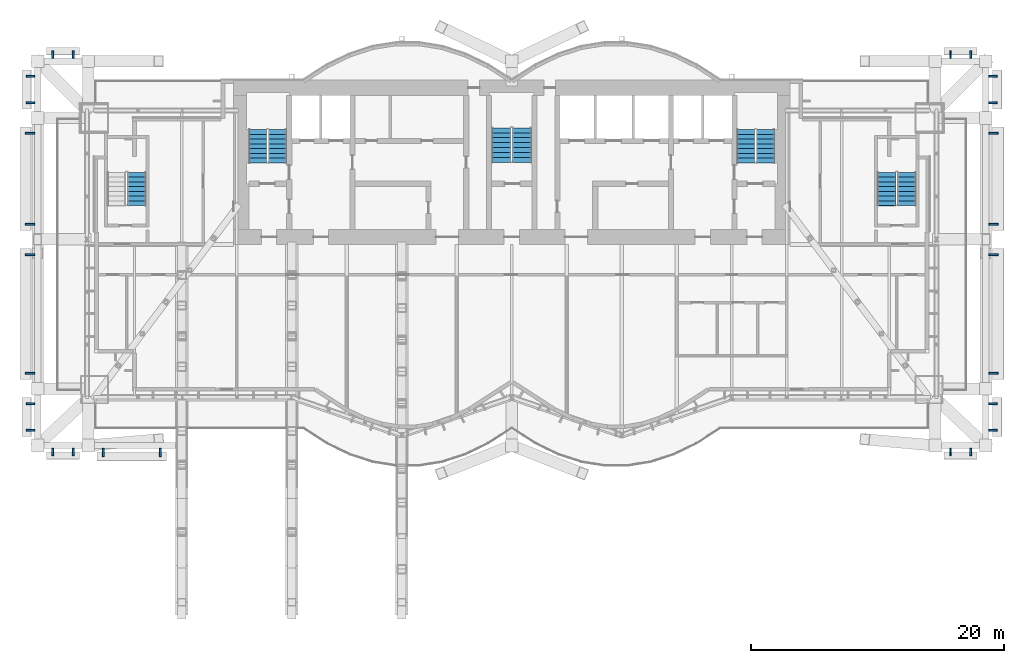
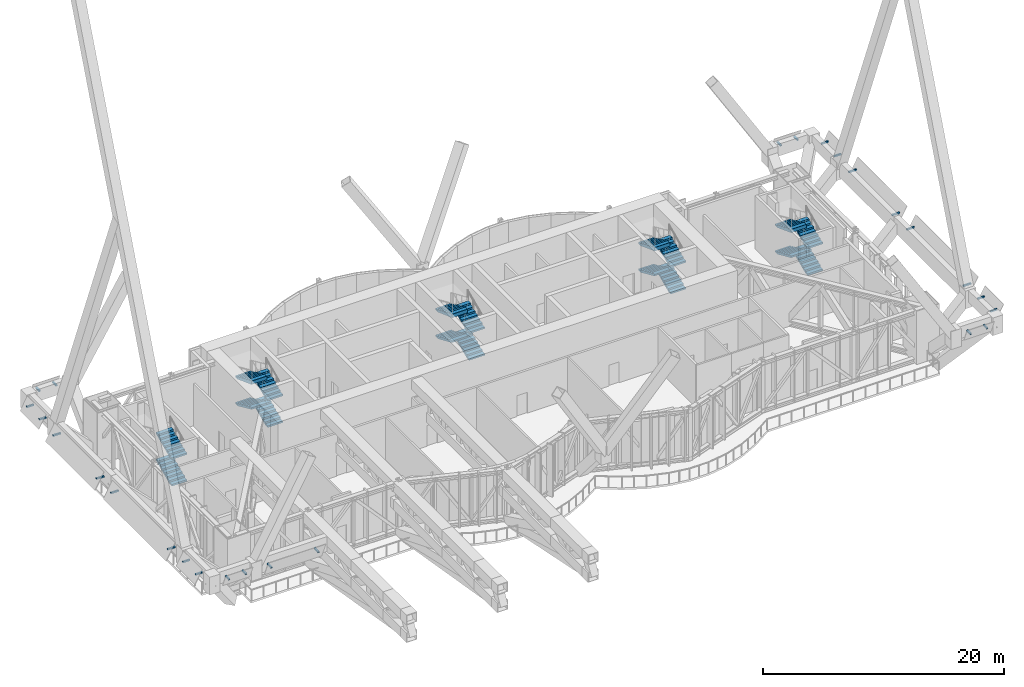
# One storey, part 27 of 30: 26 discrete accessories, 18 stair flights, 5 elements without a shape of their own.
"""IFC4 building model written with IfcOpenShell, lengths in metres."""

from ifc_helpers import new_model, si_unit, direction, frame, origin, origin_2d, place, context, subcontext, project, spatial, polyline, rectangle, outline, extrude, material, type_object, element, aggregate, save


model = new_model("IFC4")

# Units and contexts
model_context = context("Model", 3, precision=1e-05, world=origin(), true_north=direction((0.0, 1.0)))
body_context = subcontext(model_context, "Body", "Model", "MODEL_VIEW")
ifc_project = project(units=[si_unit("LENGTHUNIT", "METRE"), si_unit("AREAUNIT", "SQUARE_METRE"), si_unit("VOLUMEUNIT", "CUBIC_METRE"), si_unit("PLANEANGLEUNIT", "RADIAN"), si_unit("MASSUNIT", "GRAM", prefix="KILO")], contexts=[model_context])

# Site, building, storey
site_placement = place(None, origin())
site = spatial("IfcSite", under=ifc_project, at=site_placement, CompositionType="ELEMENT")
building_placement = place(site_placement, origin())
building = spatial("IfcBuilding", under=site, at=building_placement, Name="Bicima Exchange Tower", CompositionType="ELEMENT")
storey_placement = place(building_placement, frame((0.0, 0.0, 287.60009765625)))
storey = spatial("IfcBuildingStorey", under=building, at=storey_placement, Name="L65", CompositionType="ELEMENT", Elevation=287.60009765625)

# Stair, stair flights
ifc_material_1 = material(Name="Concrete C50/60", Category="concrete")
stair_type_1 = type_object("IfcStairType", Name="Exit stair", PredefinedType="HALF_TURN_STAIR", material=ifc_material_1)
stair_1_placement = place(storey_placement, origin())
stair_1 = element("IfcStair", 1, at=stair_1_placement, inside=storey, type_object=stair_type_1, Name="L65 West exit stair", PredefinedType="HALF_TURN_STAIR")
stair_flight_type_1 = type_object("IfcStairFlightType", Name="Stair flight RC", PredefinedType="STRAIGHT", material=ifc_material_1)
stair_flight_1_placement = place(storey_placement, frame((-18.52490234375, -6.550048828125, 0.0), z_axis=(0.0, 0.0, 1.0), x_axis=(0.0, 1.0, 0.0)))
stair_flight_1 = element("IfcStairFlight", 2, at=stair_flight_1_placement, type_object=stair_flight_type_1, Name="ST-W flight 1", NumberOfRisers=8, NumberOfTreads=7, PredefinedType="STRAIGHT", RiserHeight=0.16875, TreadLength=0.375714286, context=body_context, shape_type="SweptSolid", body=[
    extrude(outline(polyline([(0.0, 0.0), (0.0, 0.168701171875), (0.375732421875, 0.168701171875), (0.375732421875, 0.33740234375), (0.75146484375, 0.33740234375), (0.75146484375, 0.50634765625), (1.127197265625, 0.50634765625), (1.127197265625, 0.675048828125), (1.5029296875, 0.675048828125), (1.5029296875, 0.84375), (1.878662109375, 0.84375), (1.878662109375, 1.012451171875), (2.25439453125, 1.012451171875), (2.25439453125, 1.18115234375), (2.6298828125, 1.18115234375), (2.6298828125, 1.35009765625), (2.6298828125, 1.016845703125), (0.365966796875, 0.0), (0.0, 0.0)])), frame((0.0, 0.72509765625, 0.0), z_axis=(0.0, -1.0, 0.0), x_axis=(1.0, 0.0, 0.0)), (0.0, 0.0, 1.0), 1.449951171875),
])
stair_flight_2_placement = place(storey_placement, frame((-20.074951171875, -3.919921875, 1.349853515625), z_axis=(0.0, 0.0, 1.0), x_axis=(0.0, -1.0, 0.0)))
stair_flight_2 = element("IfcStairFlight", 3, at=stair_flight_2_placement, type_object=stair_flight_type_1, Name="ST-W flight 2", NumberOfRisers=8, NumberOfTreads=7, PredefinedType="STRAIGHT", RiserHeight=0.16875, TreadLength=0.375714286, context=body_context, shape_type="SweptSolid", body=[
    extrude(outline(polyline([(0.0, 0.0), (0.0, 0.168701171875), (0.375732421875, 0.168701171875), (0.375732421875, 0.33740234375), (0.75146484375, 0.33740234375), (0.75146484375, 0.50634765625), (1.127197265625, 0.50634765625), (1.127197265625, 0.675048828125), (1.5029296875, 0.675048828125), (1.5029296875, 0.84375), (1.878662109375, 0.84375), (1.878662109375, 1.012451171875), (2.25439453125, 1.012451171875), (2.25439453125, 1.18115234375), (2.6298828125, 1.18115234375), (2.6298828125, 1.35009765625), (2.6298828125, 1.016845703125), (0.365966796875, 0.0), (0.0, 0.0)])), frame((0.0, 0.72509765625, 0.0), z_axis=(0.0, -1.0, 0.0), x_axis=(1.0, 0.0, 0.0)), (0.0, 0.0, 1.0), 1.449951171875),
])
stair_flight_3_placement = place(storey_placement, frame((-18.52490234375, -6.550048828125, 2.699951171875), z_axis=(0.0, 0.0, 1.0), x_axis=(0.0, 1.0, 0.0)))
stair_flight_3 = element("IfcStairFlight", 4, at=stair_flight_3_placement, type_object=stair_flight_type_1, Name="ST-W flight 3", NumberOfRisers=8, NumberOfTreads=7, PredefinedType="STRAIGHT", RiserHeight=0.16875, TreadLength=0.375714286, context=body_context, shape_type="SweptSolid", body=[
    extrude(outline(polyline([(0.0, 0.0), (0.0, 0.168701171875), (0.375732421875, 0.168701171875), (0.375732421875, 0.33740234375), (0.75146484375, 0.33740234375), (0.75146484375, 0.50634765625), (1.127197265625, 0.50634765625), (1.127197265625, 0.675048828125), (1.5029296875, 0.675048828125), (1.5029296875, 0.84375), (1.878662109375, 0.84375), (1.878662109375, 1.012451171875), (2.25439453125, 1.012451171875), (2.25439453125, 1.18115234375), (2.6298828125, 1.18115234375), (2.6298828125, 1.35009765625), (2.6298828125, 1.016845703125), (0.365966796875, 0.0), (0.0, 0.0)])), frame((0.0, 0.72509765625, 0.0), z_axis=(0.0, -1.0, 0.0), x_axis=(1.0, 0.0, 0.0)), (0.0, 0.0, 1.0), 1.449951171875),
])
stair_flight_4_placement = place(storey_placement, frame((-20.074951171875, -3.919921875, 4.0498046875), z_axis=(0.0, 0.0, 1.0), x_axis=(0.0, -1.0, 0.0)))
stair_flight_4 = element("IfcStairFlight", 5, at=stair_flight_4_placement, type_object=stair_flight_type_1, Name="ST-W flight 4", NumberOfRisers=8, NumberOfTreads=7, PredefinedType="STRAIGHT", RiserHeight=0.16875, TreadLength=0.375714286, context=body_context, shape_type="SweptSolid", body=[
    extrude(outline(polyline([(0.0, 0.0), (0.0, 0.168701171875), (0.375732421875, 0.168701171875), (0.375732421875, 0.33740234375), (0.75146484375, 0.33740234375), (0.75146484375, 0.50634765625), (1.127197265625, 0.50634765625), (1.127197265625, 0.675048828125), (1.5029296875, 0.675048828125), (1.5029296875, 0.84375), (1.878662109375, 0.84375), (1.878662109375, 1.012451171875), (2.25439453125, 1.012451171875), (2.25439453125, 1.18115234375), (2.6298828125, 1.18115234375), (2.6298828125, 1.203857421875), (2.64501953125, 1.203857421875), (2.64501953125, 0.85498046875), (0.365966796875, 0.0), (0.0, 0.0)])), frame((0.0, 0.72509765625, 0.0), z_axis=(0.0, -1.0, 0.0), x_axis=(1.0, 0.0, 0.0)), (0.0, 0.0, 1.0), 1.449951171875),
])
aggregate(stair_1, [stair_flight_1, stair_flight_2, stair_flight_3, stair_flight_4])

stair_2_placement = place(storey_placement, origin())
stair_2 = element("IfcStair", 6, at=stair_2_placement, inside=storey, type_object=stair_type_1, Name="L65 East exit stair", PredefinedType="HALF_TURN_STAIR")
stair_flight_5_placement = place(storey_placement, frame((20.074951171875, -6.550048828125, 0.0), z_axis=(0.0, 0.0, 1.0), x_axis=(0.0, 1.0, 0.0)))
stair_flight_5 = element("IfcStairFlight", 7, at=stair_flight_5_placement, type_object=stair_flight_type_1, Name="ST-E flight 1", NumberOfRisers=8, NumberOfTreads=7, PredefinedType="STRAIGHT", RiserHeight=0.16875, TreadLength=0.375714286, context=body_context, shape_type="SweptSolid", body=[
    extrude(outline(polyline([(0.0, 0.0), (0.0, 0.168701171875), (0.375732421875, 0.168701171875), (0.375732421875, 0.33740234375), (0.75146484375, 0.33740234375), (0.75146484375, 0.50634765625), (1.127197265625, 0.50634765625), (1.127197265625, 0.675048828125), (1.5029296875, 0.675048828125), (1.5029296875, 0.84375), (1.878662109375, 0.84375), (1.878662109375, 1.012451171875), (2.25439453125, 1.012451171875), (2.25439453125, 1.18115234375), (2.6298828125, 1.18115234375), (2.6298828125, 1.35009765625), (2.6298828125, 1.016845703125), (0.365966796875, 0.0), (0.0, 0.0)])), frame((0.0, 0.72509765625, 0.0), z_axis=(0.0, -1.0, 0.0), x_axis=(1.0, 0.0, 0.0)), (0.0, 0.0, 1.0), 1.449951171875),
])
stair_flight_6_placement = place(storey_placement, frame((18.52490234375, -3.919921875, 1.349853515625), z_axis=(0.0, 0.0, 1.0), x_axis=(0.0, -1.0, 0.0)))
stair_flight_6 = element("IfcStairFlight", 8, at=stair_flight_6_placement, type_object=stair_flight_type_1, Name="ST-E flight 2", NumberOfRisers=8, NumberOfTreads=7, PredefinedType="STRAIGHT", RiserHeight=0.16875, TreadLength=0.375714286, context=body_context, shape_type="SweptSolid", body=[
    extrude(outline(polyline([(0.0, 0.0), (0.0, 0.168701171875), (0.375732421875, 0.168701171875), (0.375732421875, 0.33740234375), (0.75146484375, 0.33740234375), (0.75146484375, 0.50634765625), (1.127197265625, 0.50634765625), (1.127197265625, 0.675048828125), (1.5029296875, 0.675048828125), (1.5029296875, 0.84375), (1.878662109375, 0.84375), (1.878662109375, 1.012451171875), (2.25439453125, 1.012451171875), (2.25439453125, 1.18115234375), (2.6298828125, 1.18115234375), (2.6298828125, 1.35009765625), (2.6298828125, 1.016845703125), (0.365966796875, 0.0), (0.0, 0.0)])), frame((0.0, 0.72509765625, 0.0), z_axis=(0.0, -1.0, 0.0), x_axis=(1.0, 0.0, 0.0)), (0.0, 0.0, 1.0), 1.449951171875),
])
stair_flight_7_placement = place(storey_placement, frame((20.074951171875, -6.550048828125, 2.699951171875), z_axis=(0.0, 0.0, 1.0), x_axis=(0.0, 1.0, 0.0)))
stair_flight_7 = element("IfcStairFlight", 9, at=stair_flight_7_placement, type_object=stair_flight_type_1, Name="ST-E flight 3", NumberOfRisers=8, NumberOfTreads=7, PredefinedType="STRAIGHT", RiserHeight=0.16875, TreadLength=0.375714286, context=body_context, shape_type="SweptSolid", body=[
    extrude(outline(polyline([(0.0, 0.0), (0.0, 0.168701171875), (0.375732421875, 0.168701171875), (0.375732421875, 0.33740234375), (0.75146484375, 0.33740234375), (0.75146484375, 0.50634765625), (1.127197265625, 0.50634765625), (1.127197265625, 0.675048828125), (1.5029296875, 0.675048828125), (1.5029296875, 0.84375), (1.878662109375, 0.84375), (1.878662109375, 1.012451171875), (2.25439453125, 1.012451171875), (2.25439453125, 1.18115234375), (2.6298828125, 1.18115234375), (2.6298828125, 1.35009765625), (2.6298828125, 1.016845703125), (0.365966796875, 0.0), (0.0, 0.0)])), frame((0.0, 0.72509765625, 0.0), z_axis=(0.0, -1.0, 0.0), x_axis=(1.0, 0.0, 0.0)), (0.0, 0.0, 1.0), 1.449951171875),
])
stair_flight_8_placement = place(storey_placement, frame((18.52490234375, -3.919921875, 4.0498046875), z_axis=(0.0, 0.0, 1.0), x_axis=(0.0, -1.0, 0.0)))
stair_flight_8 = element("IfcStairFlight", 10, at=stair_flight_8_placement, type_object=stair_flight_type_1, Name="ST-E flight 4", NumberOfRisers=8, NumberOfTreads=7, PredefinedType="STRAIGHT", RiserHeight=0.16875, TreadLength=0.375714286, context=body_context, shape_type="SweptSolid", body=[
    extrude(outline(polyline([(0.0, 0.0), (0.0, 0.168701171875), (0.375732421875, 0.168701171875), (0.375732421875, 0.33740234375), (0.75146484375, 0.33740234375), (0.75146484375, 0.50634765625), (1.127197265625, 0.50634765625), (1.127197265625, 0.675048828125), (1.5029296875, 0.675048828125), (1.5029296875, 0.84375), (1.878662109375, 0.84375), (1.878662109375, 1.012451171875), (2.25439453125, 1.012451171875), (2.25439453125, 1.18115234375), (2.6298828125, 1.18115234375), (2.6298828125, 1.203857421875), (2.64501953125, 1.203857421875), (2.64501953125, 0.85498046875), (0.365966796875, 0.0), (0.0, 0.0)])), frame((0.0, 0.72509765625, 0.0), z_axis=(0.0, -1.0, 0.0), x_axis=(1.0, 0.0, 0.0)), (0.0, 0.0, 1.0), 1.449951171875),
])
aggregate(stair_2, [stair_flight_5, stair_flight_6, stair_flight_7, stair_flight_8])

stair_3_placement = place(storey_placement, origin())
stair_3 = element("IfcStair", 11, at=stair_3_placement, inside=storey, type_object=stair_type_1, Name="L65 West end exit stair", PredefinedType="HALF_TURN_STAIR")
stair_flight_9_placement = place(storey_placement, frame((-29.64990234375, -9.925048828125, 0.0), z_axis=(0.0, 0.0, 1.0), x_axis=(0.0, 1.0, 0.0)))
stair_flight_9 = element("IfcStairFlight", 12, at=stair_flight_9_placement, type_object=stair_flight_type_1, Name="ST-WW flight 1", NumberOfRisers=8, NumberOfTreads=7, PredefinedType="STRAIGHT", RiserHeight=0.16875, TreadLength=0.375714286, context=body_context, shape_type="SweptSolid", body=[
    extrude(outline(polyline([(0.0, 0.0), (0.0, 0.168701171875), (0.375732421875, 0.168701171875), (0.375732421875, 0.33740234375), (0.75146484375, 0.33740234375), (0.75146484375, 0.50634765625), (1.127197265625, 0.50634765625), (1.127197265625, 0.675048828125), (1.5029296875, 0.675048828125), (1.5029296875, 0.84375), (1.878662109375, 0.84375), (1.878662109375, 1.012451171875), (2.25439453125, 1.012451171875), (2.25439453125, 1.18115234375), (2.6298828125, 1.18115234375), (2.6298828125, 1.35009765625), (2.6298828125, 1.016845703125), (0.365966796875, 0.0), (0.0, 0.0)])), frame((0.0, 0.72509765625, 0.0), z_axis=(0.0, -1.0, 0.0), x_axis=(1.0, 0.0, 0.0)), (0.0, 0.0, 1.0), 1.449951171875),
])
stair_flight_10_placement = place(storey_placement, frame((-29.64990234375, -9.925048828125, 2.699951171875), z_axis=(0.0, 0.0, 1.0), x_axis=(0.0, 1.0, 0.0)))
stair_flight_10 = element("IfcStairFlight", 13, at=stair_flight_10_placement, type_object=stair_flight_type_1, Name="ST-WW flight 3", NumberOfRisers=8, NumberOfTreads=7, PredefinedType="STRAIGHT", RiserHeight=0.16875, TreadLength=0.375714286, context=body_context, shape_type="SweptSolid", body=[
    extrude(outline(polyline([(0.0, 0.0), (0.0, 0.168701171875), (0.375732421875, 0.168701171875), (0.375732421875, 0.33740234375), (0.75146484375, 0.33740234375), (0.75146484375, 0.50634765625), (1.127197265625, 0.50634765625), (1.127197265625, 0.675048828125), (1.5029296875, 0.675048828125), (1.5029296875, 0.84375), (1.878662109375, 0.84375), (1.878662109375, 1.012451171875), (2.25439453125, 1.012451171875), (2.25439453125, 1.18115234375), (2.6298828125, 1.18115234375), (2.6298828125, 1.35009765625), (2.6298828125, 1.016845703125), (0.365966796875, 0.0), (0.0, 0.0)])), frame((0.0, 0.72509765625, 0.0), z_axis=(0.0, -1.0, 0.0), x_axis=(1.0, 0.0, 0.0)), (0.0, 0.0, 1.0), 1.449951171875),
])
aggregate(stair_3, [stair_flight_9, stair_flight_10])

stair_4_placement = place(storey_placement, origin())
stair_4 = element("IfcStair", 14, at=stair_4_placement, inside=storey, type_object=stair_type_1, Name="L65 East end exit stair", PredefinedType="HALF_TURN_STAIR")
stair_flight_11_placement = place(storey_placement, frame((31.25, -9.925048828125, 0.0), z_axis=(0.0, 0.0, 1.0), x_axis=(0.0, 1.0, 0.0)))
stair_flight_11 = element("IfcStairFlight", 15, at=stair_flight_11_placement, type_object=stair_flight_type_1, Name="ST-EE flight 1", NumberOfRisers=8, NumberOfTreads=7, PredefinedType="STRAIGHT", RiserHeight=0.16875, TreadLength=0.375714286, context=body_context, shape_type="SweptSolid", body=[
    extrude(outline(polyline([(0.0, 0.0), (0.0, 0.168701171875), (0.375732421875, 0.168701171875), (0.375732421875, 0.33740234375), (0.75146484375, 0.33740234375), (0.75146484375, 0.50634765625), (1.127197265625, 0.50634765625), (1.127197265625, 0.675048828125), (1.5029296875, 0.675048828125), (1.5029296875, 0.84375), (1.878662109375, 0.84375), (1.878662109375, 1.012451171875), (2.25439453125, 1.012451171875), (2.25439453125, 1.18115234375), (2.6298828125, 1.18115234375), (2.6298828125, 1.35009765625), (2.6298828125, 1.016845703125), (0.365966796875, 0.0), (0.0, 0.0)])), frame((0.0, 0.72509765625, 0.0), z_axis=(0.0, -1.0, 0.0), x_axis=(1.0, 0.0, 0.0)), (0.0, 0.0, 1.0), 1.449951171875),
])
stair_flight_12_placement = place(storey_placement, frame((29.64990234375, -7.294921875, 1.349853515625), z_axis=(0.0, 0.0, 1.0), x_axis=(0.0, -1.0, 0.0)))
stair_flight_12 = element("IfcStairFlight", 16, at=stair_flight_12_placement, type_object=stair_flight_type_1, Name="ST-EE flight 2", NumberOfRisers=8, NumberOfTreads=7, PredefinedType="STRAIGHT", RiserHeight=0.16875, TreadLength=0.375714286, context=body_context, shape_type="SweptSolid", body=[
    extrude(outline(polyline([(0.0, 0.0), (0.0, 0.168701171875), (0.375732421875, 0.168701171875), (0.375732421875, 0.33740234375), (0.75146484375, 0.33740234375), (0.75146484375, 0.50634765625), (1.127197265625, 0.50634765625), (1.127197265625, 0.675048828125), (1.5029296875, 0.675048828125), (1.5029296875, 0.84375), (1.878662109375, 0.84375), (1.878662109375, 1.012451171875), (2.25439453125, 1.012451171875), (2.25439453125, 1.18115234375), (2.6298828125, 1.18115234375), (2.6298828125, 1.35009765625), (2.6298828125, 1.016845703125), (0.365966796875, 0.0), (0.0, 0.0)])), frame((0.0, 0.72509765625, 0.0), z_axis=(0.0, -1.0, 0.0), x_axis=(1.0, 0.0, 0.0)), (0.0, 0.0, 1.0), 1.449951171875),
])
stair_flight_13_placement = place(storey_placement, frame((31.25, -9.925048828125, 2.699951171875), z_axis=(0.0, 0.0, 1.0), x_axis=(0.0, 1.0, 0.0)))
stair_flight_13 = element("IfcStairFlight", 17, at=stair_flight_13_placement, type_object=stair_flight_type_1, Name="ST-EE flight 3", NumberOfRisers=8, NumberOfTreads=7, PredefinedType="STRAIGHT", RiserHeight=0.16875, TreadLength=0.375714286, context=body_context, shape_type="SweptSolid", body=[
    extrude(outline(polyline([(0.0, 0.0), (0.0, 0.168701171875), (0.375732421875, 0.168701171875), (0.375732421875, 0.33740234375), (0.75146484375, 0.33740234375), (0.75146484375, 0.50634765625), (1.127197265625, 0.50634765625), (1.127197265625, 0.675048828125), (1.5029296875, 0.675048828125), (1.5029296875, 0.84375), (1.878662109375, 0.84375), (1.878662109375, 1.012451171875), (2.25439453125, 1.012451171875), (2.25439453125, 1.18115234375), (2.6298828125, 1.18115234375), (2.6298828125, 1.35009765625), (2.6298828125, 1.016845703125), (0.365966796875, 0.0), (0.0, 0.0)])), frame((0.0, 0.72509765625, 0.0), z_axis=(0.0, -1.0, 0.0), x_axis=(1.0, 0.0, 0.0)), (0.0, 0.0, 1.0), 1.449951171875),
])
stair_flight_14_placement = place(storey_placement, frame((29.64990234375, -7.294921875, 4.0498046875), z_axis=(0.0, 0.0, 1.0), x_axis=(0.0, -1.0, 0.0)))
stair_flight_14 = element("IfcStairFlight", 18, at=stair_flight_14_placement, type_object=stair_flight_type_1, Name="ST-EE flight 4", NumberOfRisers=8, NumberOfTreads=7, PredefinedType="STRAIGHT", RiserHeight=0.16875, TreadLength=0.375714286, context=body_context, shape_type="SweptSolid", body=[
    extrude(outline(polyline([(0.0, 0.0), (0.0, 0.168701171875), (0.375732421875, 0.168701171875), (0.375732421875, 0.33740234375), (0.75146484375, 0.33740234375), (0.75146484375, 0.50634765625), (1.127197265625, 0.50634765625), (1.127197265625, 0.675048828125), (1.5029296875, 0.675048828125), (1.5029296875, 0.84375), (1.878662109375, 0.84375), (1.878662109375, 1.012451171875), (2.25439453125, 1.012451171875), (2.25439453125, 1.18115234375), (2.6298828125, 1.18115234375), (2.6298828125, 1.203857421875), (2.64501953125, 1.203857421875), (2.64501953125, 0.85498046875), (0.365966796875, 0.0), (0.0, 0.0)])), frame((0.0, 0.72509765625, 0.0), z_axis=(0.0, -1.0, 0.0), x_axis=(1.0, 0.0, 0.0)), (0.0, 0.0, 1.0), 1.449951171875),
])
aggregate(stair_4, [stair_flight_11, stair_flight_12, stair_flight_13, stair_flight_14])

stair_type_2 = type_object("IfcStairType", Name="Exit stair 1500", PredefinedType="HALF_TURN_STAIR", material=ifc_material_1)
stair_5_placement = place(storey_placement, origin())
stair_5 = element("IfcStair", 19, at=stair_5_placement, inside=storey, type_object=stair_type_2, Name="L65 Central exit stair", PredefinedType="HALF_TURN_STAIR")
stair_flight_type_2 = type_object("IfcStairFlightType", Name="Stair flight RC 1500", PredefinedType="STRAIGHT", material=ifc_material_1)
stair_flight_15_placement = place(storey_placement, frame((0.824951171875, -6.5, 0.0), z_axis=(0.0, 0.0, 1.0), x_axis=(0.0, 1.0, 0.0)))
stair_flight_15 = element("IfcStairFlight", 20, at=stair_flight_15_placement, type_object=stair_flight_type_2, Name="ST-C flight 1", NumberOfRisers=8, NumberOfTreads=7, PredefinedType="STRAIGHT", RiserHeight=0.16875, TreadLength=0.388571429, context=body_context, shape_type="SweptSolid", body=[
    extrude(outline(polyline([(0.0, 0.0), (0.0, 0.168701171875), (0.388671875, 0.168701171875), (0.388671875, 0.33740234375), (0.777099609375, 0.33740234375), (0.777099609375, 0.50634765625), (1.165771484375, 0.50634765625), (1.165771484375, 0.675048828125), (1.55419921875, 0.675048828125), (1.55419921875, 0.84375), (1.94287109375, 0.84375), (1.94287109375, 1.012451171875), (2.33154296875, 1.012451171875), (2.33154296875, 1.18115234375), (2.719970703125, 1.18115234375), (2.719970703125, 1.35009765625), (2.719970703125, 1.017822265625), (0.376220703125, 0.0), (0.0, 0.0)])), frame((0.0, 0.75, 0.0), z_axis=(0.0, -1.0, 0.0), x_axis=(1.0, 0.0, 0.0)), (0.0, 0.0, 1.0), 1.5),
])
stair_flight_16_placement = place(storey_placement, frame((-0.824951171875, -3.780029296875, 1.349853515625), z_axis=(0.0, 0.0, 1.0), x_axis=(0.0, -1.0, 0.0)))
stair_flight_16 = element("IfcStairFlight", 21, at=stair_flight_16_placement, type_object=stair_flight_type_2, Name="ST-C flight 2", NumberOfRisers=8, NumberOfTreads=7, PredefinedType="STRAIGHT", RiserHeight=0.16875, TreadLength=0.388571429, context=body_context, shape_type="SweptSolid", body=[
    extrude(outline(polyline([(0.0, 0.0), (0.0, 0.168701171875), (0.388671875, 0.168701171875), (0.388671875, 0.33740234375), (0.777099609375, 0.33740234375), (0.777099609375, 0.50634765625), (1.165771484375, 0.50634765625), (1.165771484375, 0.675048828125), (1.55419921875, 0.675048828125), (1.55419921875, 0.84375), (1.94287109375, 0.84375), (1.94287109375, 1.012451171875), (2.33154296875, 1.012451171875), (2.33154296875, 1.18115234375), (2.719970703125, 1.18115234375), (2.719970703125, 1.35009765625), (2.719970703125, 1.017822265625), (0.376220703125, 0.0), (0.0, 0.0)])), frame((0.0, 0.75, 0.0), z_axis=(0.0, -1.0, 0.0), x_axis=(1.0, 0.0, 0.0)), (0.0, 0.0, 1.0), 1.5),
])
stair_flight_17_placement = place(storey_placement, frame((0.824951171875, -6.5, 2.699951171875), z_axis=(0.0, 0.0, 1.0), x_axis=(0.0, 1.0, 0.0)))
stair_flight_17 = element("IfcStairFlight", 22, at=stair_flight_17_placement, type_object=stair_flight_type_2, Name="ST-C flight 3", NumberOfRisers=8, NumberOfTreads=7, PredefinedType="STRAIGHT", RiserHeight=0.16875, TreadLength=0.388571429, context=body_context, shape_type="SweptSolid", body=[
    extrude(outline(polyline([(0.0, 0.0), (0.0, 0.168701171875), (0.388671875, 0.168701171875), (0.388671875, 0.33740234375), (0.777099609375, 0.33740234375), (0.777099609375, 0.50634765625), (1.165771484375, 0.50634765625), (1.165771484375, 0.675048828125), (1.55419921875, 0.675048828125), (1.55419921875, 0.84375), (1.94287109375, 0.84375), (1.94287109375, 1.012451171875), (2.33154296875, 1.012451171875), (2.33154296875, 1.18115234375), (2.719970703125, 1.18115234375), (2.719970703125, 1.35009765625), (2.719970703125, 1.017822265625), (0.376220703125, 0.0), (0.0, 0.0)])), frame((0.0, 0.75, 0.0), z_axis=(0.0, -1.0, 0.0), x_axis=(1.0, 0.0, 0.0)), (0.0, 0.0, 1.0), 1.5),
])
stair_flight_18_placement = place(storey_placement, frame((-0.824951171875, -3.780029296875, 4.0498046875), z_axis=(0.0, 0.0, 1.0), x_axis=(0.0, -1.0, 0.0)))
stair_flight_18 = element("IfcStairFlight", 23, at=stair_flight_18_placement, type_object=stair_flight_type_2, Name="ST-C flight 4", NumberOfRisers=8, NumberOfTreads=7, PredefinedType="STRAIGHT", RiserHeight=0.16875, TreadLength=0.388571429, context=body_context, shape_type="SweptSolid", body=[
    extrude(outline(polyline([(0.0, 0.0), (0.0, 0.168701171875), (0.388671875, 0.168701171875), (0.388671875, 0.33740234375), (0.777099609375, 0.33740234375), (0.777099609375, 0.50634765625), (1.165771484375, 0.50634765625), (1.165771484375, 0.675048828125), (1.55419921875, 0.675048828125), (1.55419921875, 0.84375), (1.94287109375, 0.84375), (1.94287109375, 1.012451171875), (2.33154296875, 1.012451171875), (2.33154296875, 1.18115234375), (2.719970703125, 1.18115234375), (2.719970703125, 1.203857421875), (2.735107421875, 1.203857421875), (2.735107421875, 0.85546875), (0.376220703125, 0.0), (0.0, 0.0)])), frame((0.0, 0.75, 0.0), z_axis=(0.0, -1.0, 0.0), x_axis=(1.0, 0.0, 0.0)), (0.0, 0.0, 1.0), 1.5),
])
aggregate(stair_5, [stair_flight_15, stair_flight_16, stair_flight_17, stair_flight_18])

# Discrete accessories
ifc_material_2 = material(Name="Steel ASTM A572 Gr 50", Category="steel")
discrete_accessory_type = type_object("IfcDiscreteAccessoryType", Name="Belt fascia bracket", PredefinedType="BRACKET", material=ifc_material_2)
for number, where, z_axis, x_axis, name in (
    (24, (-36.300048828125, -29.42724609375, 4.574951171875), (0.0, 0.0, 1.0), (1.0, 0.0, 0.0), "Belt fascia bracket"),
    (25, (-34.699951171875, -29.42724609375, 4.574951171875), (0.0, 0.0, 1.0), (1.0, 0.0, 0.0), "Belt fascia bracket"),
):
    element("IfcDiscreteAccessory", number, at=place(storey_placement, frame(where, z_axis=z_axis, x_axis=x_axis)), inside=storey, type_object=discrete_accessory_type, Name=name, PredefinedType="BRACKET", context=body_context, shape_type="SweptSolid", body=[
        extrude(rectangle(XDim=0.14990234375, YDim=0.59326171875, at=origin_2d()), origin(), (0.0, 0.0, 1.0), 0.14990234375),
    ])
for number, where, z_axis, x_axis, name in (
    (26, (-32.300048828125, -29.459228515625, 4.425048828125), (0.0, 0.0, 1.0), (1.0, 0.0, 0.0), "Belt fascia bracket"),
    (27, (-27.800048828125, -29.459228515625, 4.425048828125), (0.0, 0.0, 1.0), (1.0, 0.0, 0.0), "Belt fascia bracket"),
):
    element("IfcDiscreteAccessory", number, at=place(storey_placement, frame(where, z_axis=z_axis, x_axis=x_axis)), inside=storey, type_object=discrete_accessory_type, Name=name, PredefinedType="BRACKET", context=body_context, shape_type="SweptSolid", body=[
        extrude(rectangle(XDim=0.14990234375, YDim=0.6572265625, at=origin_2d()), origin(), (0.0, 0.0, 1.0), 0.14990234375),
    ])
for number, where, z_axis, x_axis, name in (
    (28, (34.699951171875, -29.42724609375, 4.574951171875), (0.0, 0.0, 1.0), (1.0, 0.0, 0.0), "Belt fascia bracket"),
    (29, (36.300048828125, -29.42724609375, 4.574951171875), (0.0, 0.0, 1.0), (1.0, 0.0, 0.0), "Belt fascia bracket"),
):
    element("IfcDiscreteAccessory", number, at=place(storey_placement, frame(where, z_axis=z_axis, x_axis=x_axis)), inside=storey, type_object=discrete_accessory_type, Name=name, PredefinedType="BRACKET", context=body_context, shape_type="SweptSolid", body=[
        extrude(rectangle(XDim=0.14990234375, YDim=0.59326171875, at=origin_2d()), origin(), (0.0, 0.0, 1.0), 0.14990234375),
    ])
for number, where, z_axis, x_axis, name in (
    (30, (38.065673828125, -27.70068359375, 4.574951171875), (0.0, 0.0, 1.0), (0.0, 1.0, 0.0), "Belt fascia bracket"),
    (31, (38.065673828125, -25.6005859375, 4.574951171875), (0.0, 0.0, 1.0), (0.0, 1.0, 0.0), "Belt fascia bracket"),
):
    element("IfcDiscreteAccessory", number, at=place(storey_placement, frame(where, z_axis=z_axis, x_axis=x_axis)), inside=storey, type_object=discrete_accessory_type, Name=name, PredefinedType="BRACKET", context=body_context, shape_type="SweptSolid", body=[
        extrude(rectangle(XDim=0.14990234375, YDim=0.671142578125, at=origin_2d()), origin(), (0.0, 0.0, 1.0), 0.14990234375),
    ])
for number, where, z_axis, x_axis, name in (
    (32, (38.106689453125, -23.20068359375, 4.425048828125), (0.0, 0.0, 1.0), (0.0, 1.0, 0.0), "Belt fascia bracket"),
    (33, (38.106689453125, -13.800048828125, 4.425048828125), (0.0, 0.0, 1.0), (0.0, 1.0, 0.0), "Belt fascia bracket"),
    (34, (38.106689453125, -11.39990234375, 4.425048828125), (0.0, 0.0, 1.0), (0.0, 1.0, 0.0), "Belt fascia bracket"),
    (35, (38.106689453125, -4.199951171875, 4.425048828125), (0.0, 0.0, 1.0), (0.0, 1.0, 0.0), "Belt fascia bracket"),
):
    element("IfcDiscreteAccessory", number, at=place(storey_placement, frame(where, z_axis=z_axis, x_axis=x_axis)), inside=storey, type_object=discrete_accessory_type, Name=name, PredefinedType="BRACKET", context=body_context, shape_type="SweptSolid", body=[
        extrude(rectangle(XDim=0.14990234375, YDim=0.75341796875, at=origin_2d()), origin(), (0.0, 0.0, 1.0), 0.14990234375),
    ])
for number, where, z_axis, x_axis, name in (
    (36, (38.065673828125, -1.800048828125, 4.574951171875), (0.0, 0.0, 1.0), (0.0, 1.0, 0.0), "Belt fascia bracket"),
    (37, (38.065673828125, 0.300048828125, 4.574951171875), (0.0, 0.0, 1.0), (0.0, 1.0, 0.0), "Belt fascia bracket"),
):
    element("IfcDiscreteAccessory", number, at=place(storey_placement, frame(where, z_axis=z_axis, x_axis=x_axis)), inside=storey, type_object=discrete_accessory_type, Name=name, PredefinedType="BRACKET", context=body_context, shape_type="SweptSolid", body=[
        extrude(rectangle(XDim=0.14990234375, YDim=0.671142578125, at=origin_2d()), origin(), (0.0, 0.0, 1.0), 0.14990234375),
    ])
for number, where, z_axis, x_axis, name in (
    (38, (36.300048828125, 2.026611328125, 4.574951171875), (0.0, 0.0, 1.0), (-1.0, 0.0, 0.0), "Belt fascia bracket"),
    (39, (34.699951171875, 2.026611328125, 4.574951171875), (0.0, 0.0, 1.0), (-1.0, 0.0, 0.0), "Belt fascia bracket"),
    (40, (-34.699951171875, 2.026611328125, 4.574951171875), (0.0, 0.0, 1.0), (-1.0, 0.0, 0.0), "Belt fascia bracket"),
    (41, (-36.300048828125, 2.026611328125, 4.574951171875), (0.0, 0.0, 1.0), (-1.0, 0.0, 0.0), "Belt fascia bracket"),
):
    element("IfcDiscreteAccessory", number, at=place(storey_placement, frame(where, z_axis=z_axis, x_axis=x_axis)), inside=storey, type_object=discrete_accessory_type, Name=name, PredefinedType="BRACKET", context=body_context, shape_type="SweptSolid", body=[
        extrude(rectangle(XDim=0.14990234375, YDim=0.59326171875, at=origin_2d()), origin(), (0.0, 0.0, 1.0), 0.14990234375),
    ])
for number, where, z_axis, x_axis, name in (
    (42, (-38.065673828125, 0.300048828125, 4.574951171875), (0.0, 0.0, 1.0), (0.0, -1.0, 0.0), "Belt fascia bracket"),
    (43, (-38.065673828125, -1.800048828125, 4.574951171875), (0.0, 0.0, 1.0), (0.0, -1.0, 0.0), "Belt fascia bracket"),
):
    element("IfcDiscreteAccessory", number, at=place(storey_placement, frame(where, z_axis=z_axis, x_axis=x_axis)), inside=storey, type_object=discrete_accessory_type, Name=name, PredefinedType="BRACKET", context=body_context, shape_type="SweptSolid", body=[
        extrude(rectangle(XDim=0.14990234375, YDim=0.671142578125, at=origin_2d()), origin(), (0.0, 0.0, 1.0), 0.14990234375),
    ])
for number, where, z_axis, x_axis, name in (
    (44, (-38.106689453125, -4.199951171875, 4.425048828125), (0.0, 0.0, 1.0), (0.0, -1.0, 0.0), "Belt fascia bracket"),
    (45, (-38.106689453125, -11.39990234375, 4.425048828125), (0.0, 0.0, 1.0), (0.0, -1.0, 0.0), "Belt fascia bracket"),
    (46, (-38.106689453125, -13.800048828125, 4.425048828125), (0.0, 0.0, 1.0), (0.0, -1.0, 0.0), "Belt fascia bracket"),
    (47, (-38.106689453125, -23.20068359375, 4.425048828125), (0.0, 0.0, 1.0), (0.0, -1.0, 0.0), "Belt fascia bracket"),
):
    element("IfcDiscreteAccessory", number, at=place(storey_placement, frame(where, z_axis=z_axis, x_axis=x_axis)), inside=storey, type_object=discrete_accessory_type, Name=name, PredefinedType="BRACKET", context=body_context, shape_type="SweptSolid", body=[
        extrude(rectangle(XDim=0.14990234375, YDim=0.75341796875, at=origin_2d()), origin(), (0.0, 0.0, 1.0), 0.14990234375),
    ])
for number, where, z_axis, x_axis, name in (
    (48, (-38.065673828125, -25.6005859375, 4.574951171875), (0.0, 0.0, 1.0), (0.0, -1.0, 0.0), "Belt fascia bracket"),
    (49, (-38.065673828125, -27.70068359375, 4.574951171875), (0.0, 0.0, 1.0), (0.0, -1.0, 0.0), "Belt fascia bracket"),
):
    element("IfcDiscreteAccessory", number, at=place(storey_placement, frame(where, z_axis=z_axis, x_axis=x_axis)), inside=storey, type_object=discrete_accessory_type, Name=name, PredefinedType="BRACKET", context=body_context, shape_type="SweptSolid", body=[
        extrude(rectangle(XDim=0.14990234375, YDim=0.671142578125, at=origin_2d()), origin(), (0.0, 0.0, 1.0), 0.14990234375),
    ])

save(model, "model.ifc")
